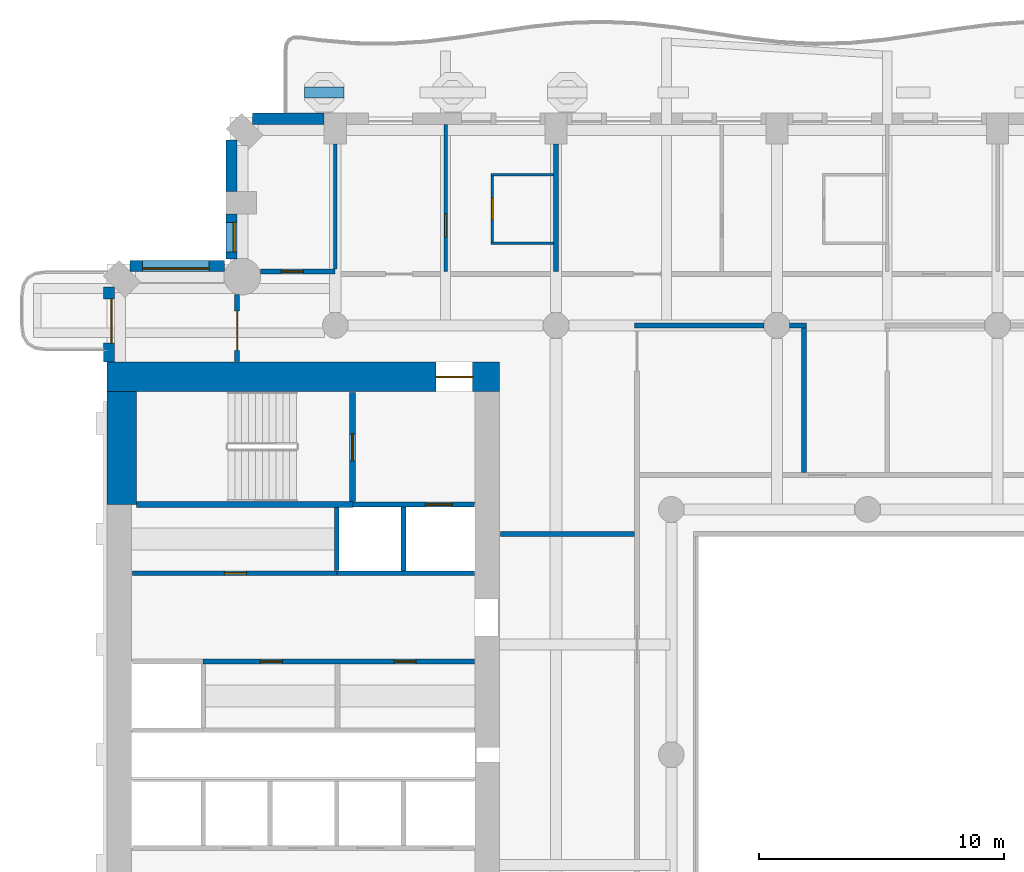
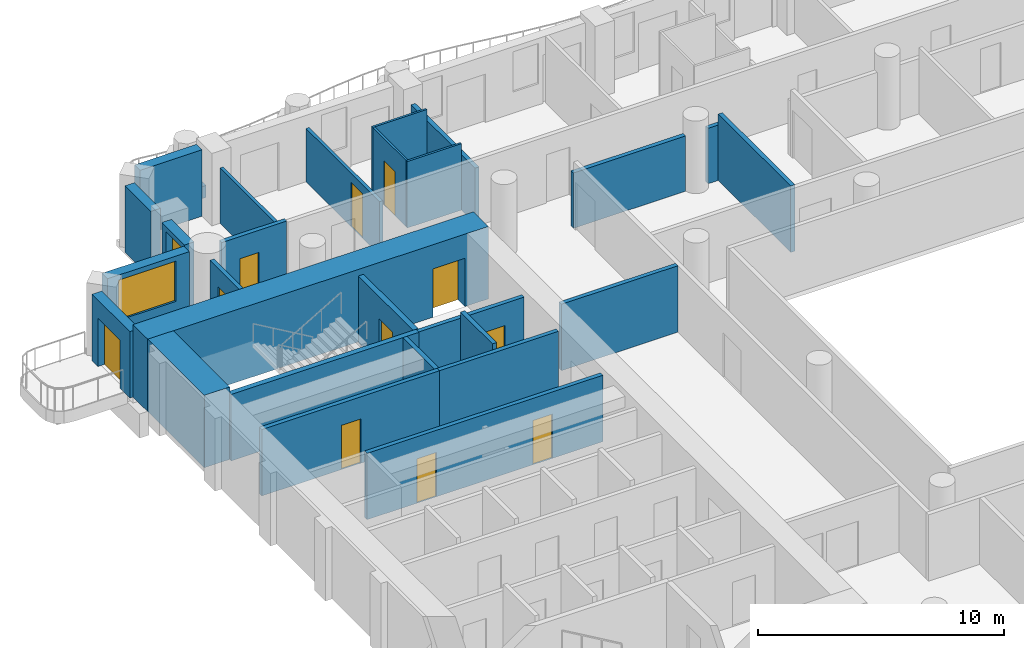
# One storey, part 7 of 19: 28 walls, 11 doors, 2 windows, 13 openings.
"""IFC4 building model written with IfcOpenShell, lengths in metres."""

from ifc_helpers import new_model, si_unit, direction, frame, frame_2d, origin, place, context, subcontext, project, spatial, rectangle, extrude, material, layer, layer_set, type_object, element, fill, save


model = new_model("IFC4")

# Units and contexts
model_context = context("Model", 3, precision=1e-05, world=origin(), true_north=direction((0.0, 1.0)))
body_context = subcontext(model_context, "Body", "Model", "MODEL_VIEW")
ifc_project = project(units=[si_unit("LENGTHUNIT", "METRE"), si_unit("AREAUNIT", "SQUARE_METRE"), si_unit("VOLUMEUNIT", "CUBIC_METRE"), si_unit("PLANEANGLEUNIT", "RADIAN"), si_unit("MASSUNIT", "GRAM", prefix="KILO")], contexts=[model_context])

# Site, building, storey
site_placement = place(None, origin())
site = spatial("IfcSite", under=ifc_project, at=site_placement, CompositionType="ELEMENT")
building_placement = place(site_placement, origin())
building = spatial("IfcBuilding", under=site, at=building_placement, Name="Cypress Arch Tower", CompositionType="ELEMENT")
storey_placement = place(building_placement, frame((0.0, 0.0, 138.300048828125)))
storey = spatial("IfcBuildingStorey", under=building, at=storey_placement, Name="L30", CompositionType="ELEMENT", Elevation=138.300048828125)

# Wall
ifc_material_1 = material(Name="Concrete C40/50, waterproofed", Category="concrete")
ifc_layer_1 = layer(ifc_material_1, 0.449951171875)
ifc_layer_set_1 = layer_set([ifc_layer_1], Name="Balcony planter wall PW450")
wall_type_1 = type_object("IfcWallType", Name="Balcony planter wall PW450", PredefinedType="SOLIDWALL", material=ifc_layer_set_1)
wall_1_placement = place(storey_placement, frame((-20.35009765625, 27.0, 0.0), z_axis=(0.0, 0.0, 1.0), x_axis=(-1.0, 0.0, 0.0)))
element("IfcWall", 1, at=wall_1_placement, inside=storey, type_object=wall_type_1, Name="Balcony planter wall L30-A08.6", PredefinedType="SOLIDWALL", context=body_context, shape_type="SweptSolid", body=[
    extrude(rectangle(XDim=1.599853515625, YDim=0.449951171875, at=frame_2d((0.7998046875, 0.0))), origin(), (0.0, 0.0, 1.0), 0.599853515625),
])

# Wall, opening, door
ifc_material_2 = material(Name="Brick (red buff blend)", Category="masonry")
ifc_layer_2 = layer(ifc_material_2, 0.449951171875)
ifc_layer_set_2 = layer_set([ifc_layer_2], Name="Brick pier and spandrel wall BW450")
wall_type_2 = type_object("IfcWallType", Name="Brick pier and spandrel wall BW450", PredefinedType="SOLIDWALL", material=ifc_layer_set_2)
wall_2_placement = place(storey_placement, frame((-29.925048828125, 19.063720703125, 0.0), z_axis=(0.0, 0.0, 1.0), x_axis=(0.0, -1.0, 0.0)))
wall_2 = element("IfcWall", 2, at=wall_2_placement, inside=storey, type_object=wall_type_2, Name="Brick wall L30 A00.0", PredefinedType="SOLIDWALL", context=body_context, shape_type="SweptSolid", body=[
    extrude(rectangle(XDim=3.063720703125, YDim=0.449951171875, at=frame_2d((1.53173828125, 0.0))), origin(), (0.0, 0.0, 1.0), 3.300048828125),
])
opening_1_placement = place(wall_2_placement, frame((0.481689453125, 0.0, 0.0)))
opening_1 = element("IfcOpeningElement", 3, at=opening_1_placement, cuts=wall_2, Name="Opening D-L30-A00.0.1", PredefinedType="OPENING", context=body_context, shape_type="SweptSolid", body=[
    extrude(rectangle(XDim=1.800048828125, YDim=2.39990234375, at=frame_2d((0.89990234375, 1.199951171875))), frame((0.0, 0.23486328125, 0.0), z_axis=(0.0, -1.0, 0.0), x_axis=(1.0, 0.0, 0.0)), (0.0, 0.0, 1.0), 0.469970703125),
])
ifc_material_3 = material(Name="Anodised aluminium, bronze finish, laminated low-emissivity double glazing, large-missile impact rated", Category="aluminium")
door_type_1 = type_object("IfcDoorType", Name="Balcony sliding door 1800x2400", OperationType="SLIDING_TO_LEFT", PredefinedType="DOOR", material=ifc_material_3)
door_1_placement = place(opening_1_placement, origin())
door_1 = element("IfcDoor", 4, at=door_1_placement, inside=storey, type_object=door_type_1, Name="Balcony door L30 A00.0.1", OperationType="SLIDING_TO_LEFT", OverallHeight=2.39990234375, OverallWidth=1.800048828125, PredefinedType="DOOR", context=body_context, shape_type="SweptSolid", body=[
    extrude(rectangle(XDim=1.800048828125, YDim=2.39990234375, at=frame_2d((0.89990234375, 1.199951171875))), frame((0.0, 0.1298828125, 0.0), z_axis=(0.0, -1.0, 0.0), x_axis=(1.0, 0.0, 0.0)), (0.0, 0.0, 1.0), 0.050048828125),
])
fill(opening_1, door_1)

# Walls
wall_3_placement = place(storey_placement, frame((-21.14990234375, 25.925048828125, 0.0), z_axis=(0.0, 0.0, 1.0), x_axis=(-1.0, 0.0, 0.0)))
element("IfcWall", 5, at=wall_3_placement, inside=storey, type_object=wall_type_2, Name="Brick wall L30 A08.4", PredefinedType="SOLIDWALL", context=body_context, shape_type="SweptSolid", body=[
    extrude(rectangle(XDim=2.913818359375, YDim=0.449951171875, at=frame_2d((1.45703125, 0.0))), origin(), (0.0, 0.0, 1.0), 3.300048828125),
])
wall_4_placement = place(storey_placement, frame((-24.925048828125, 25.063720703125, 0.0), z_axis=(0.0, 0.0, 1.0), x_axis=(0.0, -1.0, 0.0)))
element("IfcWall", 6, at=wall_4_placement, inside=storey, type_object=wall_type_2, Name="Brick wall L30 A09.0", PredefinedType="SOLIDWALL", context=body_context, shape_type="SweptSolid", body=[
    extrude(rectangle(XDim=2.11376953125, YDim=0.449951171875, at=frame_2d((1.056884765625, 0.0))), origin(), (0.0, 0.0, 1.0), 3.300048828125),
])

# Wall, opening, window
wall_5_placement = place(storey_placement, frame((-24.925048828125, 22.050048828125, 0.0), z_axis=(0.0, 0.0, 1.0), x_axis=(0.0, -1.0, 0.0)))
wall_5 = element("IfcWall", 7, at=wall_5_placement, inside=storey, type_object=wall_type_2, Name="Brick wall L30 A09.1", PredefinedType="SOLIDWALL", context=body_context, shape_type="SweptSolid", body=[
    extrude(rectangle(XDim=1.843017578125, YDim=0.449951171875, at=frame_2d((0.92138671875, 0.0))), origin(), (0.0, 0.0, 1.0), 3.300048828125),
])
opening_2_placement = place(wall_5_placement, frame((0.35009765625, 0.0, 1.050048828125)))
opening_2 = element("IfcOpeningElement", 8, at=opening_2_placement, cuts=wall_5, Name="Opening W120H", PredefinedType="OPENING", context=body_context, shape_type="SweptSolid", body=[
    extrude(rectangle(XDim=1.199951171875, YDim=2.0, at=frame_2d((0.60009765625, 1.0))), frame((0.0, 0.23486328125, 0.0), z_axis=(0.0, -1.0, 0.0), x_axis=(1.0, 0.0, 0.0)), (0.0, 0.0, 1.0), 0.469970703125),
])
ifc_material_4 = material(Name="Anodised aluminium, bronze finish, clear low-emissivity double glazing", Category="aluminium")
window_type_1 = type_object("IfcWindowType", Name="Window Hotel 1200x2000", PartitioningType="SINGLE_PANEL", PredefinedType="WINDOW", material=ifc_material_4)
window_1_placement = place(opening_2_placement, origin())
window_1 = element("IfcWindow", 9, at=window_1_placement, inside=storey, type_object=window_type_1, Name="Window L30 A09.1.1", OverallHeight=2.0, OverallWidth=1.199951171875, PartitioningType="SINGLE_PANEL", PredefinedType="WINDOW", context=body_context, shape_type="SweptSolid", body=[
    extrude(rectangle(XDim=1.199951171875, YDim=2.0, at=frame_2d((0.60009765625, 1.0))), frame((0.0, 0.135009765625, 0.0), z_axis=(0.0, -1.0, 0.0), x_axis=(1.0, 0.0, 0.0)), (0.0, 0.0, 1.0), 0.06005859375),
])
fill(opening_2, window_1)

wall_6_placement = place(storey_placement, frame((-25.20703125, 19.925048828125, 0.0), z_axis=(0.0, 0.0, 1.0), x_axis=(-1.0, 0.0, 0.0)))
wall_6 = element("IfcWall", 10, at=wall_6_placement, inside=storey, type_object=wall_type_2, Name="Brick wall L30 A10.0", PredefinedType="SOLIDWALL", context=body_context, shape_type="SweptSolid", body=[
    extrude(rectangle(XDim=3.856689453125, YDim=0.449951171875, at=frame_2d((1.92822265625, 0.0))), origin(), (0.0, 0.0, 1.0), 3.300048828125),
])
opening_3_placement = place(wall_6_placement, frame((0.64306640625, 0.0, 1.050048828125)))
opening_3 = element("IfcOpeningElement", 11, at=opening_3_placement, cuts=wall_6, Name="Opening W270H", PredefinedType="OPENING", context=body_context, shape_type="SweptSolid", body=[
    extrude(rectangle(XDim=2.699951171875, YDim=2.0, at=frame_2d((1.35009765625, 1.0))), frame((0.0, 0.23486328125, 0.0), z_axis=(0.0, -1.0, 0.0), x_axis=(1.0, 0.0, 0.0)), (0.0, 0.0, 1.0), 0.469970703125),
])
ifc_material_5 = material(Name="Anodised aluminium, bronze finish, clear low-emissivity double glazing", Category="aluminium")
window_type_2 = type_object("IfcWindowType", Name="Window Hotel 2700x2000", PartitioningType="SINGLE_PANEL", PredefinedType="WINDOW", material=ifc_material_5)
window_2_placement = place(opening_3_placement, origin())
window_2 = element("IfcWindow", 12, at=window_2_placement, inside=storey, type_object=window_type_2, Name="Window L30 A10.0.1", OverallHeight=2.0, OverallWidth=2.699951171875, PartitioningType="SINGLE_PANEL", PredefinedType="WINDOW", context=body_context, shape_type="SweptSolid", body=[
    extrude(rectangle(XDim=2.699951171875, YDim=2.0, at=frame_2d((1.35009765625, 1.0))), frame((0.0, 0.135009765625, 0.0), z_axis=(0.0, -1.0, 0.0), x_axis=(1.0, 0.0, 0.0)), (0.0, 0.0, 1.0), 0.06005859375),
])
fill(opening_3, window_2)

# Wall, opening, door
ifc_material_6 = material(Name="Concrete C80/95", Category="concrete")
ifc_layer_3 = layer(ifc_material_6, 1.199951171875)
ifc_layer_set_3 = layer_set([ifc_layer_3], Name="Core wall CW1200 C80/95")
wall_type_3 = type_object("IfcWallType", Name="Core wall CW1200 C80/95", PredefinedType="SHEAR", material=ifc_layer_set_3)
wall_7_placement = place(storey_placement, frame((-30.0, 15.39990234375, 0.0), z_axis=(0.0, 0.0, 1.0), x_axis=(1.0, 0.0, 0.0)))
wall_7 = element("IfcWall", 13, at=wall_7_placement, inside=storey, type_object=wall_type_3, Name="Core wall", PredefinedType="SHEAR", context=body_context, shape_type="SweptSolid", body=[
    extrude(rectangle(XDim=16.0, YDim=1.199951171875, at=frame_2d((8.0, 0.0))), origin(), (0.0, 0.0, 1.0), 3.599853515625),
])
opening_4_placement = place(wall_7_placement, frame((13.39990234375, 0.0, 0.0)))
opening_4 = element("IfcOpeningElement", 14, at=opening_4_placement, cuts=wall_7, Name="Opening D07", PredefinedType="OPENING", context=body_context, shape_type="SweptSolid", body=[
    extrude(rectangle(XDim=1.5, YDim=2.39990234375, at=frame_2d((0.75, 1.199951171875))), frame((0.0, 0.60986328125, 0.0), z_axis=(0.0, -1.0, 0.0), x_axis=(1.0, 0.0, 0.0)), (0.0, 0.0, 1.0), 1.219970703125),
])
ifc_material_7 = material(Name="Steel framed glazed door, fire resisting", Category="steel")
door_type_2 = type_object("IfcDoorType", Name="Lobby door D07 1500x2400", OperationType="DOUBLE_DOOR_SINGLE_SWING", PredefinedType="DOOR", material=ifc_material_7)
door_2_placement = place(opening_4_placement, origin())
door_2 = element("IfcDoor", 15, at=door_2_placement, inside=storey, type_object=door_type_2, Name="Lobby door", OperationType="DOUBLE_DOOR_SINGLE_SWING", OverallHeight=2.39990234375, OverallWidth=1.5, PredefinedType="DOOR", context=body_context, shape_type="SweptSolid", body=[
    extrude(rectangle(XDim=1.5, YDim=2.39990234375, at=frame_2d((0.75, 1.199951171875))), frame((0.0, 0.02490234375, 0.0), z_axis=(0.0, -1.0, 0.0), x_axis=(1.0, 0.0, 0.0)), (0.0, 0.0, 1.0), 0.050048828125),
])
fill(opening_4, door_2)

# Wall
wall_8_placement = place(storey_placement, frame((-29.39990234375, 10.199951171875, 0.0), z_axis=(0.0, 0.0, 1.0), x_axis=(0.0, 1.0, 0.0)))
element("IfcWall", 16, at=wall_8_placement, inside=storey, type_object=wall_type_3, Name="Core wall", PredefinedType="SHEAR", context=body_context, shape_type="SweptSolid", body=[
    extrude(rectangle(XDim=4.60009765625, YDim=1.199951171875, at=frame_2d((2.300048828125, 0.0))), origin(), (0.0, 0.0, 1.0), 3.599853515625),
])

# Wall, opening, door
ifc_material_8 = material(Name="Concrete blockwork, plastered, rated", Category="masonry")
ifc_layer_4 = layer(ifc_material_8, 0.199951171875)
ifc_layer_set_4 = layer_set([ifc_layer_4], Name="Corridor wall FW200")
wall_type_4 = type_object("IfcWallType", Name="Corridor wall FW200", PredefinedType="PARTITIONING", material=ifc_layer_set_4)
wall_9_placement = place(storey_placement, frame((-28.969970703125, 7.39990234375, 0.0), z_axis=(0.0, 0.0, 1.0), x_axis=(1.0, 0.0, 0.0)))
wall_9 = element("IfcWall", 17, at=wall_9_placement, inside=storey, type_object=wall_type_4, Name="Corridor wall", PredefinedType="PARTITIONING", context=body_context, shape_type="SweptSolid", body=[
    extrude(rectangle(XDim=8.349853515625, YDim=0.199951171875, at=frame_2d((4.1748046875, 0.0))), origin(), (0.0, 0.0, 1.0), 3.300048828125),
])
opening_5_placement = place(wall_9_placement, frame((3.75, 0.0, 0.0)))
opening_5 = element("IfcOpeningElement", 18, at=opening_5_placement, cuts=wall_9, Name="Opening D05", PredefinedType="OPENING", context=body_context, shape_type="SweptSolid", body=[
    extrude(rectangle(XDim=0.89990234375, YDim=2.199951171875, at=frame_2d((0.449951171875, 1.10009765625))), frame((0.0, 0.10986328125, 0.0), z_axis=(0.0, -1.0, 0.0), x_axis=(1.0, 0.0, 0.0)), (0.0, 0.0, 1.0), 0.219970703125),
])
ifc_material_9 = material(Name="Timber flush door", Category="wood")
door_type_3 = type_object("IfcDoorType", Name="Service door D05 900x2200", OperationType="SINGLE_SWING_LEFT", PredefinedType="DOOR", material=ifc_material_9)
door_3_placement = place(opening_5_placement, origin())
door_3 = element("IfcDoor", 19, at=door_3_placement, inside=storey, type_object=door_type_3, Name="Service door", OperationType="SINGLE_SWING_RIGHT", OverallHeight=2.199951171875, OverallWidth=0.89990234375, PredefinedType="DOOR", context=body_context, shape_type="SweptSolid", body=[
    extrude(rectangle(XDim=0.89990234375, YDim=2.199951171875, at=frame_2d((0.449951171875, 1.10009765625))), frame((0.0, 0.02490234375, 0.0), z_axis=(0.0, -1.0, 0.0), x_axis=(1.0, 0.0, 0.0)), (0.0, 0.0, 1.0), 0.050048828125),
])
fill(opening_5, door_3)

wall_10_placement = place(storey_placement, frame((-24.699951171875, 16.030029296875, 0.0), z_axis=(0.0, 0.0, 1.0), x_axis=(0.0, 1.0, 0.0)))
wall_10 = element("IfcWall", 20, at=wall_10_placement, inside=storey, type_object=wall_type_4, Name="Corridor wall", PredefinedType="PARTITIONING", context=body_context, shape_type="SweptSolid", body=[
    extrude(rectangle(XDim=2.72216796875, YDim=0.199951171875, at=frame_2d((1.361083984375, 0.0))), origin(), (0.0, 0.0, 1.0), 3.300048828125),
])
opening_6_placement = place(wall_10_placement, frame((0.449951171875, 0.0, 0.0)))
opening_6 = element("IfcOpeningElement", 21, at=opening_6_placement, cuts=wall_10, Name="Opening D10", PredefinedType="OPENING", context=body_context, shape_type="SweptSolid", body=[
    extrude(rectangle(XDim=1.60009765625, YDim=2.39990234375, at=frame_2d((0.800048828125, 1.199951171875))), frame((0.0, 0.10986328125, 0.0), z_axis=(0.0, -1.0, 0.0), x_axis=(1.0, 0.0, 0.0)), (0.0, 0.0, 1.0), 0.219970703125),
])
ifc_material_10 = material(Name="Black aluminium glazed door", Category="aluminium")
door_type_4 = type_object("IfcDoorType", Name="Amenity door D10 1600x2400", OperationType="DOUBLE_DOOR_SINGLE_SWING", PredefinedType="DOOR", material=ifc_material_10)
door_4_placement = place(opening_6_placement, origin())
door_4 = element("IfcDoor", 22, at=door_4_placement, inside=storey, type_object=door_type_4, Name="Amenity door", OperationType="DOUBLE_DOOR_SINGLE_SWING", OverallHeight=2.39990234375, OverallWidth=1.60009765625, PredefinedType="DOOR", context=body_context, shape_type="SweptSolid", body=[
    extrude(rectangle(XDim=1.60009765625, YDim=2.39990234375, at=frame_2d((0.800048828125, 1.199951171875))), frame((0.0, 0.02490234375, 0.0), z_axis=(0.0, -1.0, 0.0), x_axis=(1.0, 0.0, 0.0)), (0.0, 0.0, 1.0), 0.050048828125),
])
fill(opening_6, door_4)

wall_11_placement = place(storey_placement, frame((-23.752197265625, 19.699951171875, 0.0), z_axis=(0.0, 0.0, 1.0), x_axis=(1.0, 0.0, 0.0)))
wall_11 = element("IfcWall", 23, at=wall_11_placement, inside=storey, type_object=wall_type_4, Name="Corridor wall", PredefinedType="PARTITIONING", context=body_context, shape_type="SweptSolid", body=[
    extrude(rectangle(XDim=3.05224609375, YDim=0.199951171875, at=frame_2d((1.526123046875, 0.0))), origin(), (0.0, 0.0, 1.0), 3.300048828125),
])
opening_7_placement = place(wall_11_placement, frame((0.85009765625, 0.0, 0.0)))
opening_7 = element("IfcOpeningElement", 24, at=opening_7_placement, cuts=wall_11, Name="Opening D05", PredefinedType="OPENING", context=body_context, shape_type="SweptSolid", body=[
    extrude(rectangle(XDim=0.89990234375, YDim=2.199951171875, at=frame_2d((0.449951171875, 1.10009765625))), frame((0.0, 0.10986328125, 0.0), z_axis=(0.0, -1.0, 0.0), x_axis=(1.0, 0.0, 0.0)), (0.0, 0.0, 1.0), 0.219970703125),
])
door_5_placement = place(opening_7_placement, origin())
door_5 = element("IfcDoor", 25, at=door_5_placement, inside=storey, type_object=door_type_3, Name="Service door", OperationType="SINGLE_SWING_LEFT", OverallHeight=2.199951171875, OverallWidth=0.89990234375, PredefinedType="DOOR", context=body_context, shape_type="SweptSolid", body=[
    extrude(rectangle(XDim=0.89990234375, YDim=2.199951171875, at=frame_2d((0.449951171875, 1.10009765625))), frame((0.0, 0.02490234375, 0.0), z_axis=(0.0, -1.0, 0.0), x_axis=(1.0, 0.0, 0.0)), (0.0, 0.0, 1.0), 0.050048828125),
])
fill(opening_7, door_5)

# Walls
wall_12_placement = place(storey_placement, frame((-13.969970703125, 9.0, 0.0), z_axis=(0.0, 0.0, 1.0), x_axis=(1.0, 0.0, 0.0)))
element("IfcWall", 26, at=wall_12_placement, inside=storey, type_object=wall_type_4, Name="Corridor wall", PredefinedType="PARTITIONING", context=body_context, shape_type="SweptSolid", body=[
    extrude(rectangle(XDim=5.469970703125, YDim=0.199951171875, at=frame_2d((2.73486328125, 0.0))), origin(), (0.0, 0.0, 1.0), 3.300048828125),
])
wall_13_placement = place(storey_placement, frame((-8.5, 17.5, 0.0), z_axis=(0.0, 0.0, 1.0), x_axis=(1.0, 0.0, 0.0)))
element("IfcWall", 27, at=wall_13_placement, inside=storey, type_object=wall_type_4, Name="Corridor wall", PredefinedType="PARTITIONING", context=body_context, shape_type="SweptSolid", body=[
    extrude(rectangle(XDim=5.27490234375, YDim=0.199951171875, at=frame_2d((2.637451171875, 0.0))), origin(), (0.0, 0.0, 1.0), 2.75),
])
wall_14_placement = place(storey_placement, frame((-2.175048828125, 17.5, 0.0), z_axis=(0.0, 0.0, 1.0), x_axis=(1.0, 0.0, 0.0)))
element("IfcWall", 28, at=wall_14_placement, inside=storey, type_object=wall_type_4, Name="Corridor wall", PredefinedType="PARTITIONING", context=body_context, shape_type="SweptSolid", body=[
    extrude(rectangle(XDim=0.675048828125, YDim=0.199951171875, at=frame_2d((0.33740234375, 0.0))), origin(), (0.0, 0.0, 1.0), 2.75),
])
wall_15_placement = place(storey_placement, frame((-1.60009765625, 11.5, 0.0), z_axis=(0.0, 0.0, 1.0), x_axis=(0.0, 1.0, 0.0)))
element("IfcWall", 29, at=wall_15_placement, inside=storey, type_object=wall_type_4, Name="Corridor wall", PredefinedType="PARTITIONING", context=body_context, shape_type="SweptSolid", body=[
    extrude(rectangle(XDim=5.89990234375, YDim=0.199951171875, at=frame_2d((2.949951171875, 0.0))), origin(), (0.0, 0.0, 1.0), 3.300048828125),
])
ifc_material_11 = material(Name="Blockwork, plastered both sides", Category="masonry")
ifc_layer_5 = layer(ifc_material_11, 0.14990234375)
ifc_layer_set_5 = layer_set([ifc_layer_5], Name="Partition PW150")
wall_type_5 = type_object("IfcWallType", Name="Partition PW150", PredefinedType="PARTITIONING", material=ifc_layer_set_5)
wall_16_placement = place(storey_placement, frame((-20.699951171875, 19.800048828125, 0.0), z_axis=(0.0, 0.0, 1.0), x_axis=(0.0, 1.0, 0.0)))
element("IfcWall", 30, at=wall_16_placement, inside=storey, type_object=wall_type_5, Name="Partition", PredefinedType="PARTITIONING", context=body_context, shape_type="SweptSolid", body=[
    extrude(rectangle(XDim=5.099853515625, YDim=0.14990234375, at=frame_2d((2.5498046875, 0.0))), origin(), (0.0, 0.0, 1.0), 2.75),
])

# Wall, opening, door
wall_17_placement = place(storey_placement, frame((-16.199951171875, 19.699951171875, 0.0), z_axis=(0.0, 0.0, 1.0), x_axis=(0.0, 1.0, 0.0)))
wall_17 = element("IfcWall", 31, at=wall_17_placement, inside=storey, type_object=wall_type_5, Name="Partition", PredefinedType="PARTITIONING", context=body_context, shape_type="SweptSolid", body=[
    extrude(rectangle(XDim=6.0, YDim=0.14990234375, at=frame_2d((3.0, 0.0))), origin(), (0.0, 0.0, 1.0), 2.64990234375),
])
opening_8_placement = place(wall_17_placement, frame((1.39990234375, 0.0, 0.0)))
opening_8 = element("IfcOpeningElement", 32, at=opening_8_placement, cuts=wall_17, Name="Opening D12", PredefinedType="OPENING", context=body_context, shape_type="SweptSolid", body=[
    extrude(rectangle(XDim=0.949951171875, YDim=2.199951171875, at=frame_2d((0.47509765625, 1.10009765625))), frame((0.0, 0.0849609375, 0.0), z_axis=(0.0, -1.0, 0.0), x_axis=(1.0, 0.0, 0.0)), (0.0, 0.0, 1.0), 0.169921875),
])
ifc_material_12 = material(Name="Timber flush door", Category="wood")
door_type_5 = type_object("IfcDoorType", Name="Room door D12 950x2200", OperationType="SINGLE_SWING_LEFT", PredefinedType="DOOR", material=ifc_material_12)
door_6_placement = place(opening_8_placement, origin())
door_6 = element("IfcDoor", 33, at=door_6_placement, inside=storey, type_object=door_type_5, Name="Room door", OperationType="SINGLE_SWING_LEFT", OverallHeight=2.199951171875, OverallWidth=0.949951171875, PredefinedType="DOOR", context=body_context, shape_type="SweptSolid", body=[
    extrude(rectangle(XDim=0.949951171875, YDim=2.199951171875, at=frame_2d((0.47509765625, 1.10009765625))), frame((0.0, 0.02490234375, 0.0), z_axis=(0.0, -1.0, 0.0), x_axis=(1.0, 0.0, 0.0)), (0.0, 0.0, 1.0), 0.050048828125),
])
fill(opening_8, door_6)

# Wall
ifc_material_13 = material(Name="Dense blockwork, plastered both sides, acoustic and rated", Category="masonry")
ifc_layer_6 = layer(ifc_material_13, 0.199951171875)
ifc_layer_set_6 = layer_set([ifc_layer_6], Name="Party wall PW200")
wall_type_6 = type_object("IfcWallType", Name="Party wall PW200", PredefinedType="PARTITIONING", material=ifc_layer_set_6)
wall_18_placement = place(storey_placement, frame((-11.699951171875, 19.699951171875, 0.0), z_axis=(0.0, 0.0, 1.0), x_axis=(0.0, 1.0, 0.0)))
element("IfcWall", 34, at=wall_18_placement, inside=storey, type_object=wall_type_6, Name="Party wall", PredefinedType="PARTITIONING", context=body_context, shape_type="SweptSolid", body=[
    extrude(rectangle(XDim=5.199951171875, YDim=0.199951171875, at=frame_2d((2.60009765625, 0.0))), origin(), (0.0, 0.0, 1.0), 2.75),
])

# Wall, openings, doors
ifc_material_14 = material(Name="Reinforced blockwork, plastered, rated", Category="masonry")
ifc_layer_7 = layer(ifc_material_14, 0.199951171875)
ifc_layer_set_7 = layer_set([ifc_layer_7], Name="Plant and riser wall PL200")
wall_type_7 = type_object("IfcWallType", Name="Plant and riser wall PL200", PredefinedType="PARTITIONING", material=ifc_layer_set_7)
wall_19_placement = place(storey_placement, frame((-26.10009765625, 3.800048828125, 0.0), z_axis=(0.0, 0.0, 1.0), x_axis=(1.0, 0.0, 0.0)))
wall_19 = element("IfcWall", 35, at=wall_19_placement, inside=storey, type_object=wall_type_7, Name="Plant and riser wall", PredefinedType="PARTITIONING", context=body_context, shape_type="SweptSolid", body=[
    extrude(rectangle(XDim=11.070068359375, YDim=0.199951171875, at=frame_2d((5.53515625, 0.0))), origin(), (0.0, 0.0, 1.0), 3.300048828125),
])
opening_9_placement = place(wall_19_placement, frame((2.35009765625, 0.0, 0.0)))
opening_9 = element("IfcOpeningElement", 36, at=opening_9_placement, cuts=wall_19, Name="Opening D05", PredefinedType="OPENING", context=body_context, shape_type="SweptSolid", body=[
    extrude(rectangle(XDim=0.89990234375, YDim=2.199951171875, at=frame_2d((0.449951171875, 1.10009765625))), frame((0.0, 0.10986328125, 0.0), z_axis=(0.0, -1.0, 0.0), x_axis=(1.0, 0.0, 0.0)), (0.0, 0.0, 1.0), 0.219970703125),
])
opening_10_placement = place(wall_19_placement, frame((7.800048828125, 0.0, 0.0)))
opening_10 = element("IfcOpeningElement", 37, at=opening_10_placement, cuts=wall_19, Name="Opening D05", PredefinedType="OPENING", context=body_context, shape_type="SweptSolid", body=[
    extrude(rectangle(XDim=0.89990234375, YDim=2.199951171875, at=frame_2d((0.449951171875, 1.10009765625))), frame((0.0, 0.10986328125, 0.0), z_axis=(0.0, -1.0, 0.0), x_axis=(1.0, 0.0, 0.0)), (0.0, 0.0, 1.0), 0.219970703125),
])
door_7_placement = place(opening_9_placement, origin())
door_7 = element("IfcDoor", 38, at=door_7_placement, inside=storey, type_object=door_type_3, Name="Service door", OperationType="SINGLE_SWING_LEFT", OverallHeight=2.199951171875, OverallWidth=0.89990234375, PredefinedType="DOOR", context=body_context, shape_type="SweptSolid", body=[
    extrude(rectangle(XDim=0.89990234375, YDim=2.199951171875, at=frame_2d((0.449951171875, 1.10009765625))), frame((0.0, 0.02490234375, 0.0), z_axis=(0.0, -1.0, 0.0), x_axis=(1.0, 0.0, 0.0)), (0.0, 0.0, 1.0), 0.050048828125),
])
fill(opening_9, door_7)
door_8_placement = place(opening_10_placement, origin())
door_8 = element("IfcDoor", 39, at=door_8_placement, inside=storey, type_object=door_type_3, Name="Service door", OperationType="SINGLE_SWING_RIGHT", OverallHeight=2.199951171875, OverallWidth=0.89990234375, PredefinedType="DOOR", context=body_context, shape_type="SweptSolid", body=[
    extrude(rectangle(XDim=0.89990234375, YDim=2.199951171875, at=frame_2d((0.449951171875, 1.10009765625))), frame((0.0, 0.02490234375, 0.0), z_axis=(0.0, -1.0, 0.0), x_axis=(1.0, 0.0, 0.0)), (0.0, 0.0, 1.0), 0.050048828125),
])
fill(opening_10, door_8)

# Walls
ifc_material_15 = material(Name="Concrete C50/60", Category="concrete")
ifc_layer_8 = layer(ifc_material_15, 0.199951171875)
ifc_layer_set_8 = layer_set([ifc_layer_8], Name="Shaft wall SH200")
wall_type_8 = type_object("IfcWallType", Name="Shaft wall SH200", PredefinedType="SHEAR", material=ifc_layer_set_8)
wall_20_placement = place(storey_placement, frame((-20.639892578125, 7.5, 0.0), z_axis=(0.0, 0.0, 1.0), x_axis=(0.0, 1.0, 0.0)))
element("IfcWall", 40, at=wall_20_placement, inside=storey, type_object=wall_type_8, Name="Shaft wall", PredefinedType="SHEAR", context=body_context, shape_type="SweptSolid", body=[
    extrude(rectangle(XDim=2.574951171875, YDim=0.199951171875, at=frame_2d((1.28759765625, 0.0))), origin(), (0.0, 0.0, 1.0), 3.300048828125),
])
wall_21_placement = place(storey_placement, frame((-20.6201171875, 7.39990234375, 0.0), z_axis=(0.0, 0.0, 1.0), x_axis=(1.0, 0.0, 0.0)))
element("IfcWall", 41, at=wall_21_placement, inside=storey, type_object=wall_type_8, Name="Shaft wall", PredefinedType="SHEAR", context=body_context, shape_type="SweptSolid", body=[
    extrude(rectangle(XDim=5.590087890625, YDim=0.199951171875, at=frame_2d((2.794921875, 0.0))), origin(), (0.0, 0.0, 1.0), 3.300048828125),
])

# Wall, opening, door
wall_22_placement = place(storey_placement, frame((-19.97998046875, 10.199951171875, 0.0), z_axis=(0.0, 0.0, 1.0), x_axis=(1.0, 0.0, 0.0)))
wall_22 = element("IfcWall", 42, at=wall_22_placement, inside=storey, type_object=wall_type_8, Name="Shaft wall", PredefinedType="SHEAR", context=body_context, shape_type="SweptSolid", body=[
    extrude(rectangle(XDim=4.949951171875, YDim=0.199951171875, at=frame_2d((2.47509765625, 0.0))), origin(), (0.0, 0.0, 1.0), 3.300048828125),
])
opening_11_placement = place(wall_22_placement, frame((2.949951171875, 0.0, 0.0)))
opening_11 = element("IfcOpeningElement", 43, at=opening_11_placement, cuts=wall_22, Name="Opening LD-FL2", PredefinedType="OPENING", context=body_context, shape_type="SweptSolid", body=[
    extrude(rectangle(XDim=1.10009765625, YDim=2.199951171875, at=frame_2d((0.550048828125, 1.10009765625))), frame((0.0, 0.10986328125, 0.0), z_axis=(0.0, -1.0, 0.0), x_axis=(1.0, 0.0, 0.0)), (0.0, 0.0, 1.0), 0.219970703125),
])
ifc_material_16 = material(Name="Stainless steel centre-opening landing door, rated", Category="steel")
door_type_6 = type_object("IfcDoorType", Name="Lift landing door LD 1100x2200", OperationType="DOUBLE_DOOR_SLIDING", PredefinedType="DOOR", material=ifc_material_16)
door_9_placement = place(opening_11_placement, origin())
door_9 = element("IfcDoor", 44, at=door_9_placement, inside=storey, type_object=door_type_6, Name="Lift landing doors FL2", OperationType="DOUBLE_DOOR_SLIDING", OverallHeight=2.199951171875, OverallWidth=1.10009765625, PredefinedType="DOOR", context=body_context, shape_type="SweptSolid", body=[
    extrude(rectangle(XDim=1.10009765625, YDim=2.199951171875, at=frame_2d((0.550048828125, 1.10009765625))), frame((0.0, 0.02490234375, 0.0), z_axis=(0.0, -1.0, 0.0), x_axis=(1.0, 0.0, 0.0)), (0.0, 0.0, 1.0), 0.050048828125),
])
fill(opening_11, door_9)

# Walls
wall_23_placement = place(storey_placement, frame((-17.919921875, 7.5, 0.0), z_axis=(0.0, 0.0, 1.0), x_axis=(0.0, 1.0, 0.0)))
element("IfcWall", 45, at=wall_23_placement, inside=storey, type_object=wall_type_8, Name="Shaft wall", PredefinedType="SHEAR", context=body_context, shape_type="SweptSolid", body=[
    extrude(rectangle(XDim=2.60009765625, YDim=0.199951171875, at=frame_2d((1.300048828125, 0.0))), origin(), (0.0, 0.0, 1.0), 3.599853515625),
])
ifc_material_17 = material(Name="Concrete C50/60", Category="concrete")
ifc_layer_9 = layer(ifc_material_17, 0.25)
ifc_layer_set_9 = layer_set([ifc_layer_9], Name="Stair enclosure wall SW250")
wall_type_9 = type_object("IfcWallType", Name="Stair enclosure wall SW250", PredefinedType="SHEAR", material=ifc_layer_set_9)
wall_24_placement = place(storey_placement, frame((-28.81005859375, 10.199951171875, 0.0), z_axis=(0.0, 0.0, 1.0), x_axis=(1.0, 0.0, 0.0)))
element("IfcWall", 46, at=wall_24_placement, inside=storey, type_object=wall_type_9, Name="Stair enclosure wall", PredefinedType="SHEAR", context=body_context, shape_type="SweptSolid", body=[
    extrude(rectangle(XDim=8.830078125, YDim=0.25, at=frame_2d((4.4150390625, 0.0))), origin(), (0.0, 0.0, 1.0), 3.300048828125),
])

# Wall, opening, door
wall_25_placement = place(storey_placement, frame((-20.0, 10.324951171875, 0.0), z_axis=(0.0, 0.0, 1.0), x_axis=(0.0, 1.0, 0.0)))
wall_25 = element("IfcWall", 47, at=wall_25_placement, inside=storey, type_object=wall_type_9, Name="Stair enclosure wall", PredefinedType="SHEAR", context=body_context, shape_type="SweptSolid", body=[
    extrude(rectangle(XDim=4.445068359375, YDim=0.25, at=frame_2d((2.22265625, 0.0))), origin(), (0.0, 0.0, 1.0), 3.300048828125),
])
opening_12_placement = place(wall_25_placement, frame((1.64990234375, 0.0, 0.0)))
opening_12 = element("IfcOpeningElement", 48, at=opening_12_placement, cuts=wall_25, Name="Opening D06", PredefinedType="OPENING", context=body_context, shape_type="SweptSolid", body=[
    extrude(rectangle(XDim=1.10009765625, YDim=2.199951171875, at=frame_2d((0.550048828125, 1.10009765625))), frame((0.0, 0.135009765625, 0.0), z_axis=(0.0, -1.0, 0.0), x_axis=(1.0, 0.0, 0.0)), (0.0, 0.0, 1.0), 0.27001953125),
])
ifc_material_18 = material(Name="Steel door, fire resisting, panic bar", Category="steel")
door_type_7 = type_object("IfcDoorType", Name="Stair door D06 1100x2200", OperationType="SINGLE_SWING_LEFT", PredefinedType="DOOR", material=ifc_material_18)
door_10_placement = place(opening_12_placement, origin())
door_10 = element("IfcDoor", 49, at=door_10_placement, inside=storey, type_object=door_type_7, Name="Stair door", OperationType="SINGLE_SWING_LEFT", OverallHeight=2.199951171875, OverallWidth=1.10009765625, PredefinedType="DOOR", context=body_context, shape_type="SweptSolid", body=[
    extrude(rectangle(XDim=1.10009765625, YDim=2.199951171875, at=frame_2d((0.550048828125, 1.10009765625))), frame((0.0, 0.02490234375, 0.0), z_axis=(0.0, -1.0, 0.0), x_axis=(1.0, 0.0, 0.0)), (0.0, 0.0, 1.0), 0.050048828125),
])
fill(opening_12, door_10)

ifc_material_19 = material(Name="Moisture resistant board on steel studs, tiled", Category="steel")
ifc_layer_10 = layer(ifc_material_19, 0.10009765625)
ifc_layer_set_10 = layer_set([ifc_layer_10], Name="Wet wall PW100")
wall_type_10 = type_object("IfcWallType", Name="Wet wall PW100", PredefinedType="PARTITIONING", material=ifc_layer_set_10)
wall_26_placement = place(storey_placement, frame((-14.2958984375, 20.89990234375, 0.0), z_axis=(0.0, 0.0, 1.0), x_axis=(0.0, 1.0, 0.0)))
wall_26 = element("IfcWall", 50, at=wall_26_placement, inside=storey, type_object=wall_type_10, Name="Wet wall", PredefinedType="PARTITIONING", context=body_context, shape_type="SweptSolid", body=[
    extrude(rectangle(XDim=2.7001953125, YDim=0.10009765625, at=frame_2d((1.35009765625, 0.0))), origin(), (0.0, 0.0, 1.0), 3.300048828125),
])
opening_13_placement = place(wall_26_placement, frame((0.89990234375, 0.0, 0.0)))
opening_13 = element("IfcOpeningElement", 51, at=opening_13_placement, cuts=wall_26, Name="Opening D03", PredefinedType="OPENING", context=body_context, shape_type="SweptSolid", body=[
    extrude(rectangle(XDim=0.89990234375, YDim=2.199951171875, at=frame_2d((0.449951171875, 1.10009765625))), frame((0.0, 0.06005859375, 0.0), z_axis=(0.0, -1.0, 0.0), x_axis=(1.0, 0.0, 0.0)), (0.0, 0.0, 1.0), 0.1201171875),
])
ifc_material_20 = material(Name="Timber flush door, moisture resistant", Category="wood")
door_type_8 = type_object("IfcDoorType", Name="Bathroom door D03 900x2200", OperationType="SINGLE_SWING_LEFT", PredefinedType="DOOR", material=ifc_material_20)
door_11_placement = place(opening_13_placement, origin())
door_11 = element("IfcDoor", 52, at=door_11_placement, inside=storey, type_object=door_type_8, Name="Bathroom door", OperationType="SINGLE_SWING_LEFT", OverallHeight=2.199951171875, OverallWidth=0.89990234375, PredefinedType="DOOR", context=body_context, shape_type="SweptSolid", body=[
    extrude(rectangle(XDim=0.89990234375, YDim=2.199951171875, at=frame_2d((0.449951171875, 1.10009765625))), frame((0.0, 0.02490234375, 0.0), z_axis=(0.0, -1.0, 0.0), x_axis=(1.0, 0.0, 0.0)), (0.0, 0.0, 1.0), 0.050048828125),
])
fill(opening_13, door_11)

# Walls
for number, where, z_axis, x_axis, name in (
    (53, (-14.345947265625, 20.85009765625, 0.0), (0.0, 0.0, 1.0), (1.0, 0.0, 0.0), "Wet wall"),
    (54, (-14.345947265625, 23.64990234375, 0.0), (0.0, 0.0, 1.0), (1.0, 0.0, 0.0), "Wet wall"),
):
    element("IfcWall", number, at=place(storey_placement, frame(where, z_axis=z_axis, x_axis=x_axis)), inside=storey, type_object=wall_type_10, Name=name, PredefinedType="PARTITIONING", context=body_context, shape_type="SweptSolid", body=[
        extrude(rectangle(XDim=2.5458984375, YDim=0.10009765625, at=frame_2d((1.27294921875, 0.0))), origin(), (0.0, 0.0, 1.0), 3.300048828125),
    ])

save(model, "model.ifc")
